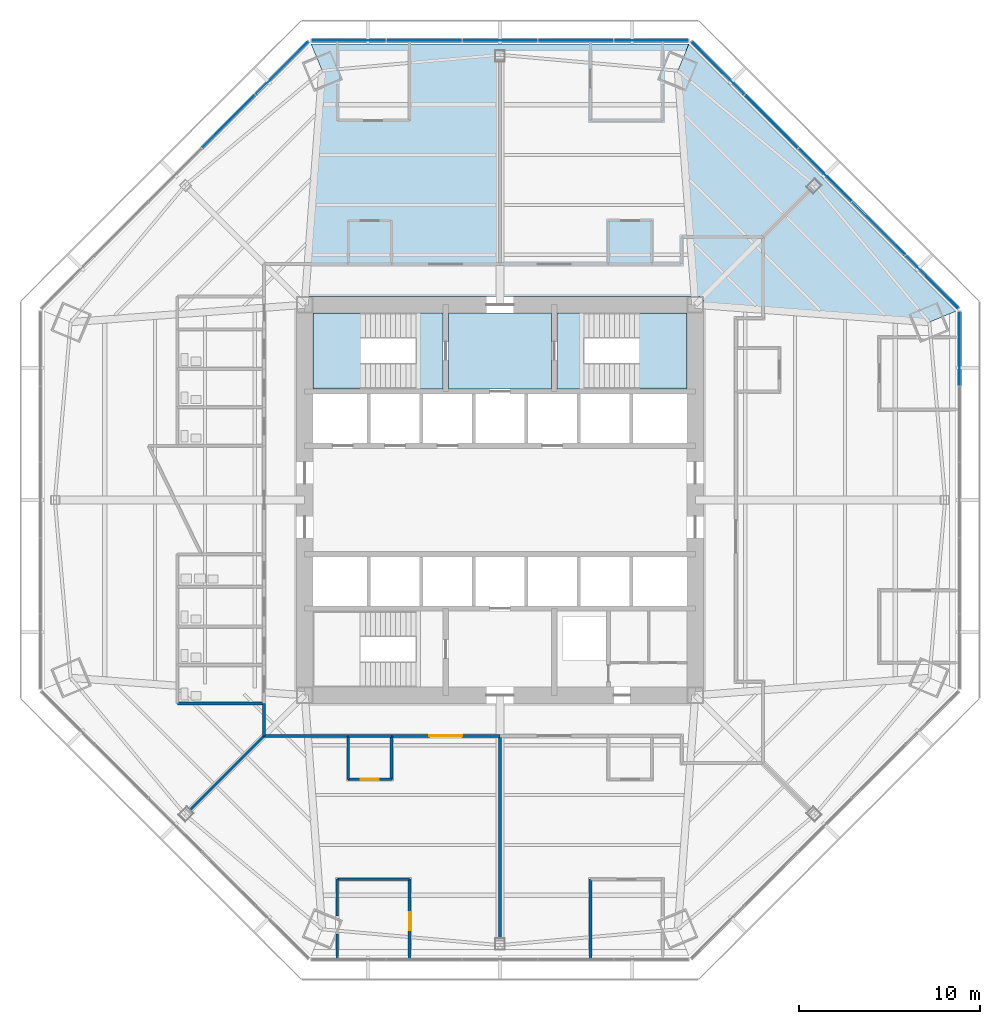
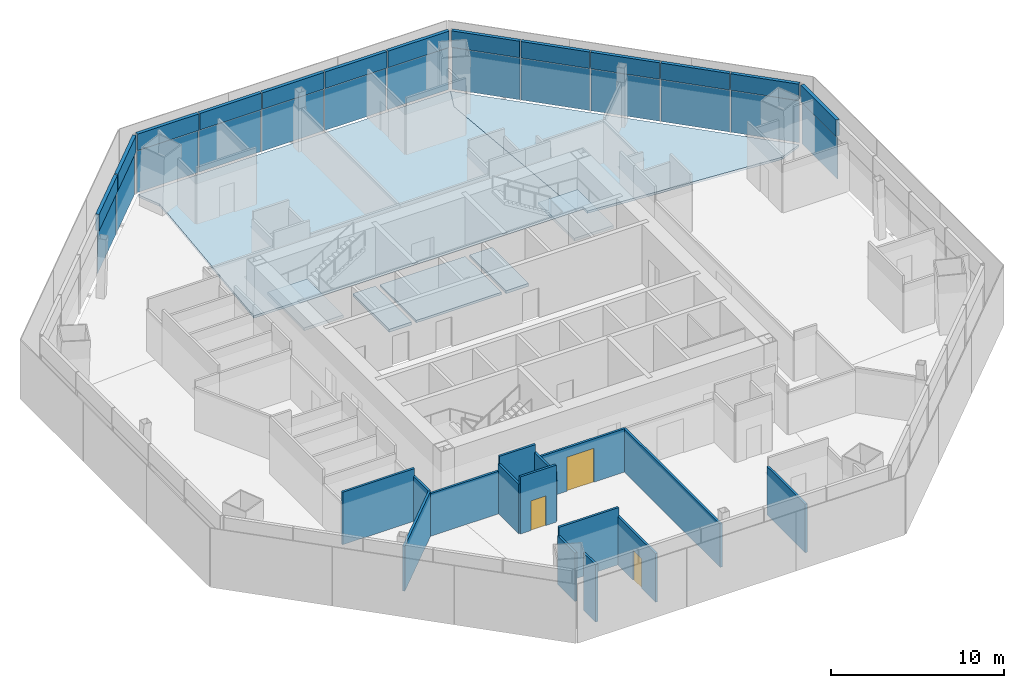
# One storey, part 9 of 17: 26 plates, 15 walls, 7 slabs, 3 doors, 3 openings, 6 elements without a shape of their own.
"""IFC4 building model written with IfcOpenShell, lengths in metres."""

from ifc_helpers import new_model, si_unit, direction, frame, frame_2d, origin, origin_2d, place, context, subcontext, project, spatial, polyline, rectangle, outline, extrude, source, transform, mapped, material, layer, layer_set, type_object, type_shapes, element, fill, aggregate, save


model = new_model("IFC4")

# Units and contexts
model_context = context("Model", 3, precision=1e-05, world=origin(), true_north=direction((0.0, 1.0)))
body_context = subcontext(model_context, "Body", "Model", "MODEL_VIEW")
ifc_project = project(units=[si_unit("LENGTHUNIT", "METRE"), si_unit("AREAUNIT", "SQUARE_METRE"), si_unit("VOLUMEUNIT", "CUBIC_METRE"), si_unit("PLANEANGLEUNIT", "RADIAN"), si_unit("MASSUNIT", "GRAM", prefix="KILO")], contexts=[model_context])

# Site, building, storey
site_placement = place(None, origin())
site = spatial("IfcSite", under=ifc_project, at=site_placement, CompositionType="ELEMENT")
building_placement = place(site_placement, origin())
building = spatial("IfcBuilding", under=site, at=building_placement, Name="Mashrafa Tower", CompositionType="ELEMENT")
storey_placement = place(building_placement, frame((0.0, 0.0, 91.800048828125)))
storey = spatial("IfcBuildingStorey", under=building, at=storey_placement, Name="L20", CompositionType="ELEMENT", Elevation=91.800048828125)

# Slabs
ifc_material_1 = material(Name="Concrete C35/45", Category="concrete")
ifc_layer_1 = layer(ifc_material_1, 0.1650390625)
ifc_layer_set_1 = layer_set([ifc_layer_1], Name="Floor slab 165")
slab_type_1 = type_object("IfcSlabType", Name="Floor slab 165", PredefinedType="FLOOR", material=ifc_layer_set_1)
slab_1_placement = place(storey_placement, frame((0.0, 0.0, -0.1650390625)))
element("IfcSlab", 1, at=slab_1_placement, inside=storey, type_object=slab_type_1, Name="Floor slab L20 north-east bay", PredefinedType="FLOOR", context=body_context, shape_type="SweptSolid", body=[
    extrude(outline(polyline([(10.445556640625, 25.2177734375), (25.2177734375, 10.445556640625), (25.2177734375, 10.445556640625), (23.744384765625, 9.835205078125), (11.25, 10.766357421875), (11.25, 11.25), (10.766357421875, 11.25), (9.835205078125, 23.744384765625), (10.445556640625, 25.2177734375), (10.445556640625, 25.2177734375)])), origin(), (0.0, 0.0, 1.0), 0.1650390625),
])
slab_2_placement = place(storey_placement, frame((0.0, 0.0, -0.1650390625)))
element("IfcSlab", 2, at=slab_2_placement, inside=storey, type_object=slab_type_1, Name="Floor slab L20 north bay", PredefinedType="FLOOR", context=body_context, shape_type="SweptSolid", body=[
    extrude(outline(polyline([(10.445556640625, 25.2177734375), (9.835205078125, 23.744384765625), (10.766357421875, 11.25), (-10.766357421875, 11.25), (-9.835205078125, 23.744384765625), (-10.445556640625, 25.2177734375), (10.445556640625, 25.2177734375)])), origin(), (0.0, 0.0, 1.0), 0.1650390625),
])
slab_3_placement = place(storey_placement, frame((0.0, 0.0, -0.1650390625)))
element("IfcSlab", 3, at=slab_3_placement, inside=storey, type_object=slab_type_1, Name="Core floor fire-fighting lobby north L20", PredefinedType="FLOOR", context=body_context, shape_type="SweptSolid", body=[
    extrude(outline(polyline([(-2.85009765625, 10.35009765625), (2.85009765625, 10.35009765625), (2.85009765625, 6.14990234375), (-2.85009765625, 6.14990234375), (-2.85009765625, 10.35009765625)])), origin(), (0.0, 0.0, 1.0), 0.1650390625),
])

# Stair, slabs
ifc_material_2 = material(Name="Exit stair 1400")
stair_type = type_object("IfcStairType", Name="Exit stair 1400", PredefinedType="HALF_TURN_STAIR", material=ifc_material_2)
stair_1_placement = place(storey_placement, origin())
stair_1 = element("IfcStair", 4, at=stair_1_placement, inside=storey, type_object=stair_type, Name="Stair S1 L20", PredefinedType="HALF_TURN_STAIR")
ifc_material_3 = material(Name="Concrete C32/40", Category="concrete")
ifc_layer_2 = layer(ifc_material_3, 0.199951171875)
ifc_layer_set_2 = layer_set([ifc_layer_2], Name="Stair landing 200")
slab_type_2 = type_object("IfcSlabType", Name="Stair landing 200", PredefinedType="LANDING", material=ifc_layer_set_2)
slab_4_placement = place(storey_placement, frame((0.0, 0.0, -0.199951171875)))
slab_4 = element("IfcSlab", 5, at=slab_4_placement, type_object=slab_type_2, Name="S1 landing 1", PredefinedType="LANDING", context=body_context, shape_type="SweptSolid", body=[
    extrude(outline(polyline([(-4.659912109375, 6.14990234375), (-3.14990234375, 6.14990234375), (-3.14990234375, 10.35009765625), (-4.659912109375, 10.35009765625), (-4.659912109375, 6.14990234375)])), origin(), (0.0, 0.0, 1.0), 0.199951171875),
])
slab_5_placement = place(storey_placement, frame((0.0, 0.0, 1.89990234375)))
slab_5 = element("IfcSlab", 6, at=slab_5_placement, type_object=slab_type_2, Name="S1 landing 2", PredefinedType="LANDING", context=body_context, shape_type="SweptSolid", body=[
    extrude(outline(polyline([(-10.35009765625, 6.14990234375), (-7.719970703125, 6.14990234375), (-7.719970703125, 10.35009765625), (-10.35009765625, 10.35009765625), (-10.35009765625, 6.14990234375)])), origin(), (0.0, 0.0, 1.0), 0.199951171875),
])
aggregate(stair_1, [slab_4, slab_5])

stair_2_placement = place(storey_placement, origin())
stair_2 = element("IfcStair", 7, at=stair_2_placement, inside=storey, type_object=stair_type, Name="Stair S2 L20", PredefinedType="HALF_TURN_STAIR")
slab_6_placement = place(storey_placement, frame((0.0, 0.0, -0.199951171875)))
slab_6 = element("IfcSlab", 8, at=slab_6_placement, type_object=slab_type_2, Name="S2 landing 1", PredefinedType="LANDING", context=body_context, shape_type="SweptSolid", body=[
    extrude(outline(polyline([(3.14990234375, 6.14990234375), (4.659912109375, 6.14990234375), (4.659912109375, 10.35009765625), (3.14990234375, 10.35009765625), (3.14990234375, 6.14990234375)])), origin(), (0.0, 0.0, 1.0), 0.199951171875),
])
slab_7_placement = place(storey_placement, frame((0.0, 0.0, 1.89990234375)))
slab_7 = element("IfcSlab", 9, at=slab_7_placement, type_object=slab_type_2, Name="S2 landing 2", PredefinedType="LANDING", context=body_context, shape_type="SweptSolid", body=[
    extrude(outline(polyline([(7.719970703125, 6.14990234375), (10.35009765625, 6.14990234375), (10.35009765625, 10.35009765625), (7.719970703125, 10.35009765625), (7.719970703125, 6.14990234375)])), origin(), (0.0, 0.0, 1.0), 0.199951171875),
])
aggregate(stair_2, [slab_6, slab_7])

# Curtain wall, plate
ifc_material_4 = material(Name="Unitised aluminium curtain wall", Category="aluminium")
curtain_wall_type = type_object("IfcCurtainWallType", Name="Office curtain wall, zone 1 CW-A 200 deep", PredefinedType="NOTDEFINED", material=ifc_material_4)
curtain_wall_1_placement = place(storey_placement, origin())
curtain_wall_1 = element("IfcCurtainWall", 10, at=curtain_wall_1_placement, inside=storey, type_object=curtain_wall_type, Name="Office curtain wall, zone 1 L20 east", PredefinedType="NOTDEFINED")
ifc_material_5 = material(Name="Insulated double glazing, low-e, neutral", Category="glass")
ifc_layer_3 = layer(ifc_material_5, 0.028076171875)
ifc_layer_set_3 = layer_set([ifc_layer_3], Name="Vision panel CW-A 28")
plate_type_1 = type_object("IfcPlateType", Name="Vision panel CW-A 28", PredefinedType="CURTAIN_PANEL", material=ifc_layer_set_3)
shared_shape_1 = source(origin(), body_context, "Body", "SweptSolid", [
    extrude(rectangle(XDim=4.09326171875, YDim=0.028076171875, at=origin_2d()), origin(), (0.0, 0.0, 1.0), 2.9599609375),
])
plate_1_placement = place(storey_placement, frame((25.417724609375, 8.365234375, 0.0), z_axis=(0.0, 0.0, 1.0), x_axis=(0.0, 1.0, 0.0)))
plate_1 = element("IfcPlate", 11, at=plate_1_placement, type_object=plate_type_1, Name="CW-A vision panel 5", PredefinedType="CURTAIN_PANEL", context=body_context, shape_type="MappedRepresentation", body=[
    mapped(shared_shape_1, transform((0.0, 0.0, 0.0))),
])

# Curtain wall, plates
curtain_wall_2_placement = place(storey_placement, origin())
curtain_wall_2 = element("IfcCurtainWall", 12, at=curtain_wall_2_placement, inside=storey, type_object=curtain_wall_type, Name="Office curtain wall, zone 1 L20 north-east", PredefinedType="NOTDEFINED")
plate_2_placement = place(storey_placement, frame((23.88818359375, 12.057861328125, 0.0), z_axis=(0.0, 0.0, 1.0), x_axis=(-0.707106781187, 0.707106781187, 0.0)))
plate_2 = element("IfcPlate", 13, at=plate_2_placement, type_object=plate_type_1, Name="CW-A vision panel 1", PredefinedType="CURTAIN_PANEL", context=body_context, shape_type="MappedRepresentation", body=[
    mapped(shared_shape_1, transform((0.0, 0.0, 0.0))),
])
plate_3_placement = place(storey_placement, frame((12.057861328125, 23.88818359375, 0.0), z_axis=(0.0, 0.0, 1.0), x_axis=(-0.707106781187, 0.707106781187, 0.0)))
plate_3 = element("IfcPlate", 14, at=plate_3_placement, type_object=plate_type_1, Name="CW-A vision panel 5", PredefinedType="CURTAIN_PANEL", context=body_context, shape_type="MappedRepresentation", body=[
    mapped(shared_shape_1, transform((0.0, 0.0, 0.0))),
])

curtain_wall_3_placement = place(storey_placement, origin())
curtain_wall_3 = element("IfcCurtainWall", 15, at=curtain_wall_3_placement, inside=storey, type_object=curtain_wall_type, Name="Office curtain wall, zone 1 L20 north", PredefinedType="NOTDEFINED")
plate_4_placement = place(storey_placement, frame((8.365234375, 25.417724609375, 0.0), z_axis=(0.0, 0.0, 1.0), x_axis=(-1.0, 0.0, 0.0)))
plate_4 = element("IfcPlate", 16, at=plate_4_placement, type_object=plate_type_1, Name="CW-A vision panel 1", PredefinedType="CURTAIN_PANEL", context=body_context, shape_type="MappedRepresentation", body=[
    mapped(shared_shape_1, transform((0.0, 0.0, 0.0))),
])
plate_5_placement = place(storey_placement, frame((-8.365234375, 25.417724609375, 0.0), z_axis=(0.0, 0.0, 1.0), x_axis=(-1.0, 0.0, 0.0)))
plate_5 = element("IfcPlate", 17, at=plate_5_placement, type_object=plate_type_1, Name="CW-A vision panel 5", PredefinedType="CURTAIN_PANEL", context=body_context, shape_type="MappedRepresentation", body=[
    mapped(shared_shape_1, transform((0.0, 0.0, 0.0))),
])

# Curtain wall, plate
curtain_wall_4_placement = place(storey_placement, origin())
curtain_wall_4 = element("IfcCurtainWall", 18, at=curtain_wall_4_placement, inside=storey, type_object=curtain_wall_type, Name="Office curtain wall, zone 1 L20 north-west", PredefinedType="NOTDEFINED")
plate_6_placement = place(storey_placement, frame((-12.057861328125, 23.88818359375, 0.0), z_axis=(0.0, 0.0, 1.0), x_axis=(-0.707106781187, -0.707106781187, 0.0)))
plate_6 = element("IfcPlate", 19, at=plate_6_placement, type_object=plate_type_1, Name="CW-A vision panel 1", PredefinedType="CURTAIN_PANEL", context=body_context, shape_type="MappedRepresentation", body=[
    mapped(shared_shape_1, transform((0.0, 0.0, 0.0))),
])

# Plate
ifc_material_6 = material(Name="Insulated aluminium spandrel panel", Category="aluminium")
ifc_layer_4 = layer(ifc_material_6, 0.219970703125)
ifc_layer_set_4 = layer_set([ifc_layer_4], Name="Spandrel panel CW-A 220")
plate_type_2 = type_object("IfcPlateType", Name="Spandrel panel CW-A 220", PredefinedType="CURTAIN_PANEL", material=ifc_layer_set_4)
shared_shape_2 = source(origin(), body_context, "Body", "SweptSolid", [
    extrude(rectangle(XDim=4.09326171875, YDim=0.219970703125, at=origin_2d()), origin(), (0.0, 0.0, 1.0), 1.159912109375),
])
plate_7_placement = place(storey_placement, frame((25.417724609375, 8.365234375, 3.0400390625), z_axis=(0.0, 0.0, 1.0), x_axis=(0.0, 1.0, 0.0)))
plate_7 = element("IfcPlate", 20, at=plate_7_placement, type_object=plate_type_2, Name="CW-A spandrel panel 5", PredefinedType="CURTAIN_PANEL", context=body_context, shape_type="MappedRepresentation", body=[
    mapped(shared_shape_2, transform((0.0, 0.0, 0.0))),
])

aggregate(curtain_wall_1, [plate_1, plate_7])

plate_8_placement = place(storey_placement, frame((23.88818359375, 12.057861328125, 3.0400390625), z_axis=(0.0, 0.0, 1.0), x_axis=(-0.707106781187, 0.707106781187, 0.0)))
plate_8 = element("IfcPlate", 21, at=plate_8_placement, type_object=plate_type_2, Name="CW-A spandrel panel 1", PredefinedType="CURTAIN_PANEL", context=body_context, shape_type="MappedRepresentation", body=[
    mapped(shared_shape_2, transform((0.0, 0.0, 0.0))),
])

plate_9_placement = place(storey_placement, frame((12.057861328125, 23.88818359375, 3.0400390625), z_axis=(0.0, 0.0, 1.0), x_axis=(-0.707106781187, 0.707106781187, 0.0)))
plate_9 = element("IfcPlate", 22, at=plate_9_placement, type_object=plate_type_2, Name="CW-A spandrel panel 5", PredefinedType="CURTAIN_PANEL", context=body_context, shape_type="MappedRepresentation", body=[
    mapped(shared_shape_2, transform((0.0, 0.0, 0.0))),
])

plate_10_placement = place(storey_placement, frame((8.365234375, 25.417724609375, 3.0400390625), z_axis=(0.0, 0.0, 1.0), x_axis=(-1.0, 0.0, 0.0)))
plate_10 = element("IfcPlate", 23, at=plate_10_placement, type_object=plate_type_2, Name="CW-A spandrel panel 1", PredefinedType="CURTAIN_PANEL", context=body_context, shape_type="MappedRepresentation", body=[
    mapped(shared_shape_2, transform((0.0, 0.0, 0.0))),
])

plate_11_placement = place(storey_placement, frame((-8.365234375, 25.417724609375, 3.0400390625), z_axis=(0.0, 0.0, 1.0), x_axis=(-1.0, 0.0, 0.0)))
plate_11 = element("IfcPlate", 24, at=plate_11_placement, type_object=plate_type_2, Name="CW-A spandrel panel 5", PredefinedType="CURTAIN_PANEL", context=body_context, shape_type="MappedRepresentation", body=[
    mapped(shared_shape_2, transform((0.0, 0.0, 0.0))),
])

plate_12_placement = place(storey_placement, frame((-12.057861328125, 23.88818359375, 3.0400390625), z_axis=(0.0, 0.0, 1.0), x_axis=(-0.707106781187, -0.707106781187, 0.0)))
plate_12 = element("IfcPlate", 25, at=plate_12_placement, type_object=plate_type_2, Name="CW-A spandrel panel 1", PredefinedType="CURTAIN_PANEL", context=body_context, shape_type="MappedRepresentation", body=[
    mapped(shared_shape_2, transform((0.0, 0.0, 0.0))),
])

shared_shape_3 = source(origin(), body_context, "Body", "SweptSolid", [
    extrude(rectangle(XDim=4.125732421875, YDim=0.028076171875, at=origin_2d()), origin(), (0.0, 0.0, 1.0), 2.9599609375),
])
type_shapes(plate_type_1, [shared_shape_1, shared_shape_3])
plate_13_placement = place(storey_placement, frame((20.9365234375, 15.009765625, 0.0), z_axis=(0.0, 0.0, 1.0), x_axis=(-0.707106781187, 0.707106781187, 0.0)))
plate_13 = element("IfcPlate", 26, at=plate_13_placement, type_object=plate_type_1, Name="CW-A vision panel 2", PredefinedType="CURTAIN_PANEL", context=body_context, shape_type="MappedRepresentation", body=[
    mapped(shared_shape_3, transform((0.0, 0.0, 0.0))),
])

plate_14_placement = place(storey_placement, frame((17.97314453125, 17.97314453125, 0.0), z_axis=(0.0, 0.0, 1.0), x_axis=(-0.707106781187, 0.707106781187, 0.0)))
plate_14 = element("IfcPlate", 27, at=plate_14_placement, type_object=plate_type_1, Name="CW-A vision panel 3", PredefinedType="CURTAIN_PANEL", context=body_context, shape_type="MappedRepresentation", body=[
    mapped(shared_shape_3, transform((0.0, 0.0, 0.0))),
])

plate_15_placement = place(storey_placement, frame((15.009765625, 20.9365234375, 0.0), z_axis=(0.0, 0.0, 1.0), x_axis=(-0.707106781187, 0.707106781187, 0.0)))
plate_15 = element("IfcPlate", 28, at=plate_15_placement, type_object=plate_type_1, Name="CW-A vision panel 4", PredefinedType="CURTAIN_PANEL", context=body_context, shape_type="MappedRepresentation", body=[
    mapped(shared_shape_3, transform((0.0, 0.0, 0.0))),
])

plate_16_placement = place(storey_placement, frame((4.190673828125, 25.417724609375, 0.0), z_axis=(0.0, 0.0, 1.0), x_axis=(-1.0, 0.0, 0.0)))
plate_16 = element("IfcPlate", 29, at=plate_16_placement, type_object=plate_type_1, Name="CW-A vision panel 2", PredefinedType="CURTAIN_PANEL", context=body_context, shape_type="MappedRepresentation", body=[
    mapped(shared_shape_3, transform((0.0, 0.0, 0.0))),
])

plate_17_placement = place(storey_placement, frame((0.0, 25.417724609375, 0.0), z_axis=(0.0, 0.0, 1.0), x_axis=(-1.0, 0.0, 0.0)))
plate_17 = element("IfcPlate", 30, at=plate_17_placement, type_object=plate_type_1, Name="CW-A vision panel 3", PredefinedType="CURTAIN_PANEL", context=body_context, shape_type="MappedRepresentation", body=[
    mapped(shared_shape_3, transform((0.0, 0.0, 0.0))),
])

plate_18_placement = place(storey_placement, frame((-4.190673828125, 25.417724609375, 0.0), z_axis=(0.0, 0.0, 1.0), x_axis=(-1.0, 0.0, 0.0)))
plate_18 = element("IfcPlate", 31, at=plate_18_placement, type_object=plate_type_1, Name="CW-A vision panel 4", PredefinedType="CURTAIN_PANEL", context=body_context, shape_type="MappedRepresentation", body=[
    mapped(shared_shape_3, transform((0.0, 0.0, 0.0))),
])

plate_19_placement = place(storey_placement, frame((-15.009765625, 20.9365234375, 0.0), z_axis=(0.0, 0.0, 1.0), x_axis=(-0.707106781187, -0.707106781187, 0.0)))
plate_19 = element("IfcPlate", 32, at=plate_19_placement, type_object=plate_type_1, Name="CW-A vision panel 2", PredefinedType="CURTAIN_PANEL", context=body_context, shape_type="MappedRepresentation", body=[
    mapped(shared_shape_3, transform((0.0, 0.0, 0.0))),
])

shared_shape_4 = source(origin(), body_context, "Body", "SweptSolid", [
    extrude(rectangle(XDim=4.125732421875, YDim=0.219970703125, at=origin_2d()), origin(), (0.0, 0.0, 1.0), 1.159912109375),
])
type_shapes(plate_type_2, [shared_shape_2, shared_shape_4])
plate_20_placement = place(storey_placement, frame((20.9365234375, 15.009765625, 3.0400390625), z_axis=(0.0, 0.0, 1.0), x_axis=(-0.707106781187, 0.707106781187, 0.0)))
plate_20 = element("IfcPlate", 33, at=plate_20_placement, type_object=plate_type_2, Name="CW-A spandrel panel 2", PredefinedType="CURTAIN_PANEL", context=body_context, shape_type="MappedRepresentation", body=[
    mapped(shared_shape_4, transform((0.0, 0.0, 0.0))),
])

plate_21_placement = place(storey_placement, frame((17.97314453125, 17.97314453125, 3.0400390625), z_axis=(0.0, 0.0, 1.0), x_axis=(-0.707106781187, 0.707106781187, 0.0)))
plate_21 = element("IfcPlate", 34, at=plate_21_placement, type_object=plate_type_2, Name="CW-A spandrel panel 3", PredefinedType="CURTAIN_PANEL", context=body_context, shape_type="MappedRepresentation", body=[
    mapped(shared_shape_4, transform((0.0, 0.0, 0.0))),
])

plate_22_placement = place(storey_placement, frame((15.009765625, 20.9365234375, 3.0400390625), z_axis=(0.0, 0.0, 1.0), x_axis=(-0.707106781187, 0.707106781187, 0.0)))
plate_22 = element("IfcPlate", 35, at=plate_22_placement, type_object=plate_type_2, Name="CW-A spandrel panel 4", PredefinedType="CURTAIN_PANEL", context=body_context, shape_type="MappedRepresentation", body=[
    mapped(shared_shape_4, transform((0.0, 0.0, 0.0))),
])

aggregate(curtain_wall_2, [plate_2, plate_8, plate_13, plate_20, plate_14, plate_21, plate_15, plate_22, plate_3, plate_9])

plate_23_placement = place(storey_placement, frame((4.190673828125, 25.417724609375, 3.0400390625), z_axis=(0.0, 0.0, 1.0), x_axis=(-1.0, 0.0, 0.0)))
plate_23 = element("IfcPlate", 36, at=plate_23_placement, type_object=plate_type_2, Name="CW-A spandrel panel 2", PredefinedType="CURTAIN_PANEL", context=body_context, shape_type="MappedRepresentation", body=[
    mapped(shared_shape_4, transform((0.0, 0.0, 0.0))),
])

plate_24_placement = place(storey_placement, frame((0.0, 25.417724609375, 3.0400390625), z_axis=(0.0, 0.0, 1.0), x_axis=(-1.0, 0.0, 0.0)))
plate_24 = element("IfcPlate", 37, at=plate_24_placement, type_object=plate_type_2, Name="CW-A spandrel panel 3", PredefinedType="CURTAIN_PANEL", context=body_context, shape_type="MappedRepresentation", body=[
    mapped(shared_shape_4, transform((0.0, 0.0, 0.0))),
])

plate_25_placement = place(storey_placement, frame((-4.190673828125, 25.417724609375, 3.0400390625), z_axis=(0.0, 0.0, 1.0), x_axis=(-1.0, 0.0, 0.0)))
plate_25 = element("IfcPlate", 38, at=plate_25_placement, type_object=plate_type_2, Name="CW-A spandrel panel 4", PredefinedType="CURTAIN_PANEL", context=body_context, shape_type="MappedRepresentation", body=[
    mapped(shared_shape_4, transform((0.0, 0.0, 0.0))),
])

aggregate(curtain_wall_3, [plate_4, plate_10, plate_16, plate_23, plate_17, plate_24, plate_18, plate_25, plate_5, plate_11])

plate_26_placement = place(storey_placement, frame((-15.009765625, 20.9365234375, 3.0400390625), z_axis=(0.0, 0.0, 1.0), x_axis=(-0.707106781187, -0.707106781187, 0.0)))
plate_26 = element("IfcPlate", 39, at=plate_26_placement, type_object=plate_type_2, Name="CW-A spandrel panel 2", PredefinedType="CURTAIN_PANEL", context=body_context, shape_type="MappedRepresentation", body=[
    mapped(shared_shape_4, transform((0.0, 0.0, 0.0))),
])

aggregate(curtain_wall_4, [plate_6, plate_12, plate_19, plate_26])

# Walls
ifc_material_7 = material(Name="Gypsum board on steel studs", Category="steel")
ifc_layer_5 = layer(ifc_material_7, 0.14990234375)
ifc_layer_set_5 = layer_set([ifc_layer_5], Name="Corridor partition 150 1 hr")
wall_type_1 = type_object("IfcWallType", Name="Corridor partition 150 1 hr", PredefinedType="PARTITIONING", material=ifc_layer_set_5)
wall_1_placement = place(storey_placement, frame((-8.40087890625, -13.050048828125, 0.0), z_axis=(0.0, 0.0, 1.0), x_axis=(1.0, 0.0, 0.0)))
element("IfcWall", 40, at=wall_1_placement, inside=storey, type_object=wall_type_1, Name="Corridor wall L20-014", PredefinedType="PARTITIONING", context=body_context, shape_type="SweptSolid", body=[
    extrude(rectangle(XDim=2.40185546875, YDim=0.14990234375, at=frame_2d((1.200927734375, 0.0))), origin(), (0.0, 0.0, 1.0), 4.034912109375),
])
wall_2_placement = place(storey_placement, frame((-13.050048828125, -11.2490234375, 0.0), z_axis=(0.0, 0.0, 1.0), x_axis=(0.0, -1.0, 0.0)))
element("IfcWall", 41, at=wall_2_placement, inside=storey, type_object=wall_type_1, Name="Corridor wall L20-019", PredefinedType="PARTITIONING", context=body_context, shape_type="SweptSolid", body=[
    extrude(rectangle(XDim=1.801025390625, YDim=0.14990234375, at=frame_2d((0.900390625, 0.0))), origin(), (0.0, 0.0, 1.0), 3.17919921875),
])
wall_3_placement = place(storey_placement, frame((-13.050048828125, -13.050048828125, 0.0), z_axis=(0.0, 0.0, 1.0), x_axis=(1.0, 0.0, 0.0)))
element("IfcWall", 42, at=wall_3_placement, inside=storey, type_object=wall_type_1, Name="Corridor wall L20-033", PredefinedType="PARTITIONING", context=body_context, shape_type="SweptSolid", body=[
    extrude(rectangle(XDim=4.651123046875, YDim=0.14990234375, at=frame_2d((2.32568359375, 0.0))), origin(), (0.0, 0.0, 1.0), 3.01416015625),
])

# Wall, opening, door
wall_4_placement = place(storey_placement, frame((-6.0009765625, -13.050048828125, 0.0), z_axis=(0.0, 0.0, 1.0), x_axis=(1.0, 0.0, 0.0)))
wall_4 = element("IfcWall", 43, at=wall_4_placement, inside=storey, type_object=wall_type_1, Name="Corridor wall L20-034", PredefinedType="PARTITIONING", context=body_context, shape_type="SweptSolid", body=[
    extrude(rectangle(XDim=6.001953125, YDim=0.14990234375, at=frame_2d((3.0009765625, 0.0))), origin(), (0.0, 0.0, 1.0), 3.06494140625),
])
opening_1_placement = place(wall_4_placement, frame((2.10107421875, 0.0, 0.0)))
opening_1 = element("IfcOpeningElement", 44, at=opening_1_placement, cuts=wall_4, Name="Opening 20.025", PredefinedType="OPENING", context=body_context, shape_type="SweptSolid", body=[
    extrude(rectangle(XDim=1.800048828125, YDim=2.39990234375, at=frame_2d((0.89990234375, 1.199951171875))), frame((0.0, 0.0849609375, 0.0), z_axis=(0.0, -1.0, 0.0), x_axis=(1.0, 0.0, 0.0)), (0.0, 0.0, 1.0), 0.169921875),
])
ifc_material_8 = material(Name="Timber door", Category="wood")
door_type_1 = type_object("IfcDoorType", Name="Door pair 1800 x 2400", OperationType="DOUBLE_DOOR_SINGLE_SWING", PredefinedType="DOOR", material=ifc_material_8)
door_1_placement = place(opening_1_placement, frame((1.800048828125, 0.0, 0.0), z_axis=(0.0, 0.0, 1.0), x_axis=(-1.0, 0.0, 0.0)))
door_1 = element("IfcDoor", 45, at=door_1_placement, inside=storey, type_object=door_type_1, Name="Office Suite 20-SW door", OperationType="DOUBLE_DOOR_SINGLE_SWING", OverallHeight=2.39990234375, OverallWidth=1.800048828125, PredefinedType="DOOR", context=body_context, shape_type="SweptSolid", body=[
    extrude(rectangle(XDim=1.800048828125, YDim=2.39990234375, at=frame_2d((0.89990234375, 1.199951171875))), frame((0.0, 0.02490234375, 0.0), z_axis=(0.0, -1.0, 0.0), x_axis=(1.0, 0.0, 0.0)), (0.0, 0.0, 1.0), 0.050048828125),
])
fill(opening_1, door_1)

# Walls
ifc_material_9 = material(Name="Gypsum board on steel studs", Category="steel")
ifc_layer_6 = layer(ifc_material_9, 0.14990234375)
ifc_layer_set_6 = layer_set([ifc_layer_6], Name="Partition 150")
wall_type_2 = type_object("IfcWallType", Name="Partition 150", PredefinedType="PARTITIONING", material=ifc_layer_set_6)
wall_5_placement = place(storey_placement, frame((-17.85009765625, -11.25, 0.0), z_axis=(0.0, 0.0, 1.0), x_axis=(1.0, 0.0, 0.0)))
element("IfcWall", 46, at=wall_5_placement, inside=storey, type_object=wall_type_2, Name="Partition wall L20-046", PredefinedType="PARTITIONING", context=body_context, shape_type="SweptSolid", body=[
    extrude(rectangle(XDim=4.800048828125, YDim=0.14990234375, at=frame_2d((2.39990234375, 0.0))), origin(), (0.0, 0.0, 1.0), 3.715087890625),
])
wall_6_placement = place(storey_placement, frame((5.0, -20.9677734375, 0.0), z_axis=(0.0, 0.0, 1.0), x_axis=(0.0, -1.0, 0.0)))
element("IfcWall", 47, at=wall_6_placement, inside=storey, type_object=wall_type_2, Name="Partition wall L20-080", PredefinedType="PARTITIONING", context=body_context, shape_type="SweptSolid", body=[
    extrude(rectangle(XDim=4.43212890625, YDim=0.14990234375, at=frame_2d((2.216064453125, 0.0))), origin(), (0.0, 0.0, 1.0), 3.4228515625),
])

# Wall, opening, door
wall_7_placement = place(storey_placement, frame((-5.0, -25.40185546875, 0.0), z_axis=(0.0, 0.0, 1.0), x_axis=(0.0, 1.0, 0.0)))
wall_7 = element("IfcWall", 48, at=wall_7_placement, inside=storey, type_object=wall_type_2, Name="Partition wall L20-084", PredefinedType="PARTITIONING", context=body_context, shape_type="SweptSolid", body=[
    extrude(rectangle(XDim=4.43408203125, YDim=0.14990234375, at=frame_2d((2.217041015625, 0.0))), origin(), (0.0, 0.0, 1.0), 3.4228515625),
])
opening_2_placement = place(wall_7_placement, frame((1.59912109375, 0.0, 0.0)))
opening_2 = element("IfcOpeningElement", 49, at=opening_2_placement, cuts=wall_7, Name="Opening 20.018", PredefinedType="OPENING", context=body_context, shape_type="SweptSolid", body=[
    extrude(rectangle(XDim=1.0, YDim=2.10009765625, at=frame_2d((0.5, 1.050048828125))), frame((0.0, 0.0849609375, 0.0), z_axis=(0.0, -1.0, 0.0), x_axis=(1.0, 0.0, 0.0)), (0.0, 0.0, 1.0), 0.169921875),
])
ifc_material_10 = material(Name="Timber door", Category="wood")
door_type_2 = type_object("IfcDoorType", Name="Door 1000 x 2100", OperationType="USERDEFINED", PredefinedType="DOOR", material=ifc_material_10)
door_2_placement = place(opening_2_placement, origin())
door_2 = element("IfcDoor", 50, at=door_2_placement, inside=storey, type_object=door_type_2, Name="Manager's Office 20-SW door", OperationType="SINGLE_SWING_LEFT", OverallHeight=2.10009765625, OverallWidth=1.0, PredefinedType="DOOR", context=body_context, shape_type="SweptSolid", body=[
    extrude(rectangle(XDim=1.0, YDim=2.10009765625, at=frame_2d((0.5, 1.050048828125))), frame((0.0, 0.02490234375, 0.0), z_axis=(0.0, -1.0, 0.0), x_axis=(1.0, 0.0, 0.0)), (0.0, 0.0, 1.0), 0.050048828125),
])
fill(opening_2, door_2)

# Walls
wall_8_placement = place(storey_placement, frame((-5.0, -20.9677734375, 0.0), z_axis=(0.0, 0.0, 1.0), x_axis=(-1.0, 0.0, 0.0)))
element("IfcWall", 51, at=wall_8_placement, inside=storey, type_object=wall_type_2, Name="Partition wall L20-085", PredefinedType="PARTITIONING", context=body_context, shape_type="SweptSolid", body=[
    extrude(rectangle(XDim=4.0, YDim=0.14990234375, at=frame_2d((2.0, 0.0))), origin(), (0.0, 0.0, 1.0), 4.034912109375),
])
wall_9_placement = place(storey_placement, frame((-9.0, -20.9677734375, 0.0), z_axis=(0.0, 0.0, 1.0), x_axis=(0.0, -1.0, 0.0)))
element("IfcWall", 52, at=wall_9_placement, inside=storey, type_object=wall_type_2, Name="Partition wall L20-086", PredefinedType="PARTITIONING", context=body_context, shape_type="SweptSolid", body=[
    extrude(rectangle(XDim=2.03662109375, YDim=0.14990234375, at=frame_2d((1.018310546875, 0.0))), origin(), (0.0, 0.0, 1.0), 3.4228515625),
])
wall_10_placement = place(storey_placement, frame((-9.0, -23.998779296875, 0.0), z_axis=(0.0, 0.0, 1.0), x_axis=(0.0, -1.0, 0.0)))
element("IfcWall", 53, at=wall_10_placement, inside=storey, type_object=wall_type_2, Name="Partition wall L20-087", PredefinedType="PARTITIONING", context=body_context, shape_type="SweptSolid", body=[
    extrude(rectangle(XDim=1.401123046875, YDim=0.14990234375, at=frame_2d((0.70068359375, 0.0))), origin(), (0.0, 0.0, 1.0), 4.034912109375),
])
wall_11_placement = place(storey_placement, frame((-8.39990234375, -13.050048828125, 0.0), z_axis=(0.0, 0.0, 1.0), x_axis=(0.0, -1.0, 0.0)))
element("IfcWall", 54, at=wall_11_placement, inside=storey, type_object=wall_type_2, Name="Partition wall L20-088", PredefinedType="PARTITIONING", context=body_context, shape_type="SweptSolid", body=[
    extrude(rectangle(XDim=2.39990234375, YDim=0.14990234375, at=frame_2d((1.199951171875, 0.0))), origin(), (0.0, 0.0, 1.0), 3.491455078125),
])

# Wall, opening, door
wall_12_placement = place(storey_placement, frame((-8.39990234375, -15.449951171875, 0.0), z_axis=(0.0, 0.0, 1.0), x_axis=(1.0, 0.0, 0.0)))
wall_12 = element("IfcWall", 55, at=wall_12_placement, inside=storey, type_object=wall_type_2, Name="Partition wall L20-089", PredefinedType="PARTITIONING", context=body_context, shape_type="SweptSolid", body=[
    extrude(rectangle(XDim=2.39990234375, YDim=0.14990234375, at=frame_2d((1.199951171875, 0.0))), origin(), (0.0, 0.0, 1.0), 4.034912109375),
])
opening_3_placement = place(wall_12_placement, frame((0.699951171875, 0.0, 0.0)))
opening_3 = element("IfcOpeningElement", 56, at=opening_3_placement, cuts=wall_12, Name="Opening 20.019", PredefinedType="OPENING", context=body_context, shape_type="SweptSolid", body=[
    extrude(rectangle(XDim=1.0, YDim=2.10009765625, at=frame_2d((0.5, 1.050048828125))), frame((0.0, 0.0849609375, 0.0), z_axis=(0.0, -1.0, 0.0), x_axis=(1.0, 0.0, 0.0)), (0.0, 0.0, 1.0), 0.169921875),
])
door_3_placement = place(opening_3_placement, origin())
door_3 = element("IfcDoor", 57, at=door_3_placement, inside=storey, type_object=door_type_2, Name="Kitchenette 20-SW door", OperationType="SINGLE_SWING_LEFT", OverallHeight=2.10009765625, OverallWidth=1.0, PredefinedType="DOOR", context=body_context, shape_type="SweptSolid", body=[
    extrude(rectangle(XDim=1.0, YDim=2.10009765625, at=frame_2d((0.5, 1.050048828125))), frame((0.0, 0.02490234375, 0.0), z_axis=(0.0, -1.0, 0.0), x_axis=(1.0, 0.0, 0.0)), (0.0, 0.0, 1.0), 0.050048828125),
])
fill(opening_3, door_3)

# Walls
wall_13_placement = place(storey_placement, frame((-6.0, -15.449951171875, 0.0), z_axis=(0.0, 0.0, 1.0), x_axis=(0.0, 1.0, 0.0)))
element("IfcWall", 58, at=wall_13_placement, inside=storey, type_object=wall_type_2, Name="Partition wall L20-090", PredefinedType="PARTITIONING", context=body_context, shape_type="SweptSolid", body=[
    extrude(rectangle(XDim=2.39990234375, YDim=0.14990234375, at=frame_2d((1.199951171875, 0.0))), origin(), (0.0, 0.0, 1.0), 3.491455078125),
])
wall_14_placement = place(storey_placement, frame((-17.133056640625, -17.133056640625, 0.0), z_axis=(0.0, 0.0, 1.0), x_axis=(0.707106781187, 0.707106781187, 0.0)))
element("IfcWall", 59, at=wall_14_placement, inside=storey, type_object=wall_type_2, Name="Partition wall L20-097", PredefinedType="PARTITIONING", context=body_context, shape_type="SweptSolid", body=[
    extrude(rectangle(XDim=5.774169921875, YDim=0.14990234375, at=frame_2d((2.88720703125, 0.0))), origin(), (0.0, 0.0, 1.0), 3.17919921875),
])
wall_15_placement = place(storey_placement, frame((0.0, -13.050048828125, 0.0), z_axis=(0.0, 0.0, 1.0), x_axis=(0.0, -1.0, 0.0)))
element("IfcWall", 60, at=wall_15_placement, inside=storey, type_object=wall_type_2, Name="Partition wall L20-099", PredefinedType="PARTITIONING", context=body_context, shape_type="SweptSolid", body=[
    extrude(rectangle(XDim=11.179931640625, YDim=0.14990234375, at=frame_2d((5.58984375, 0.0))), origin(), (0.0, 0.0, 1.0), 3.06494140625),
])

save(model, "model.ifc")
